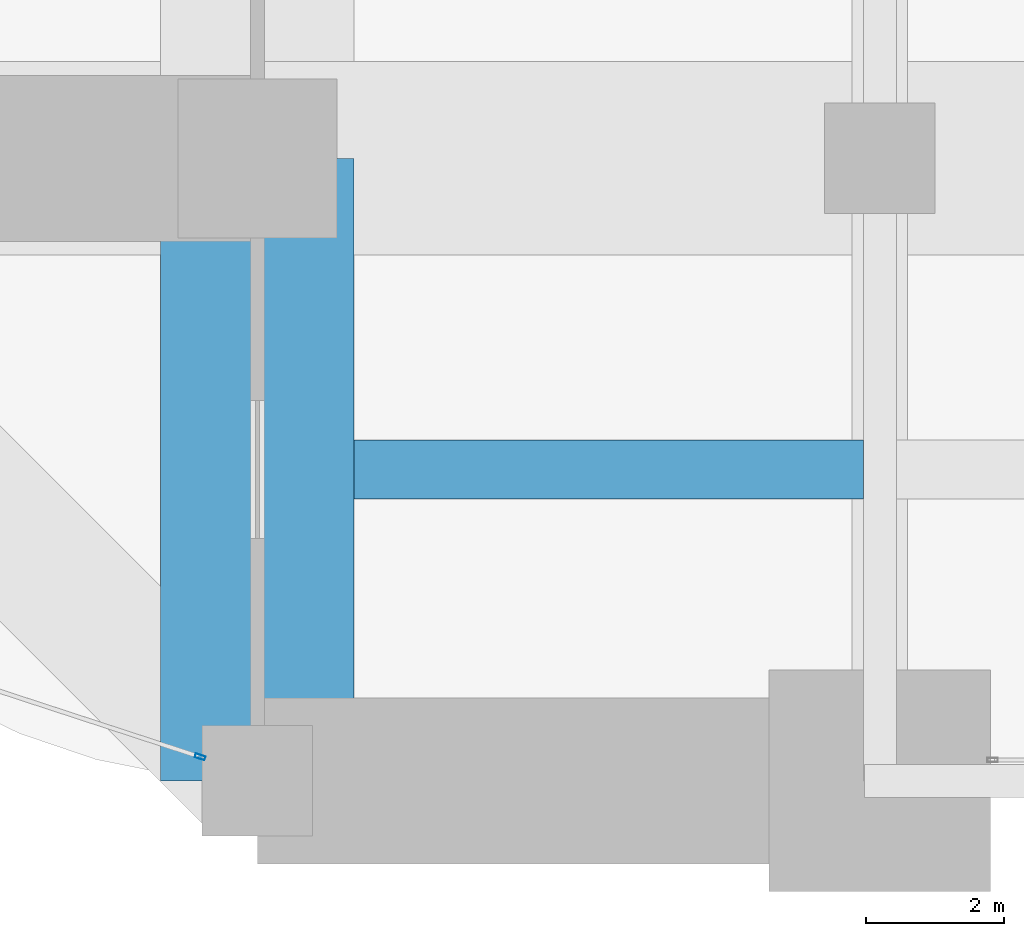
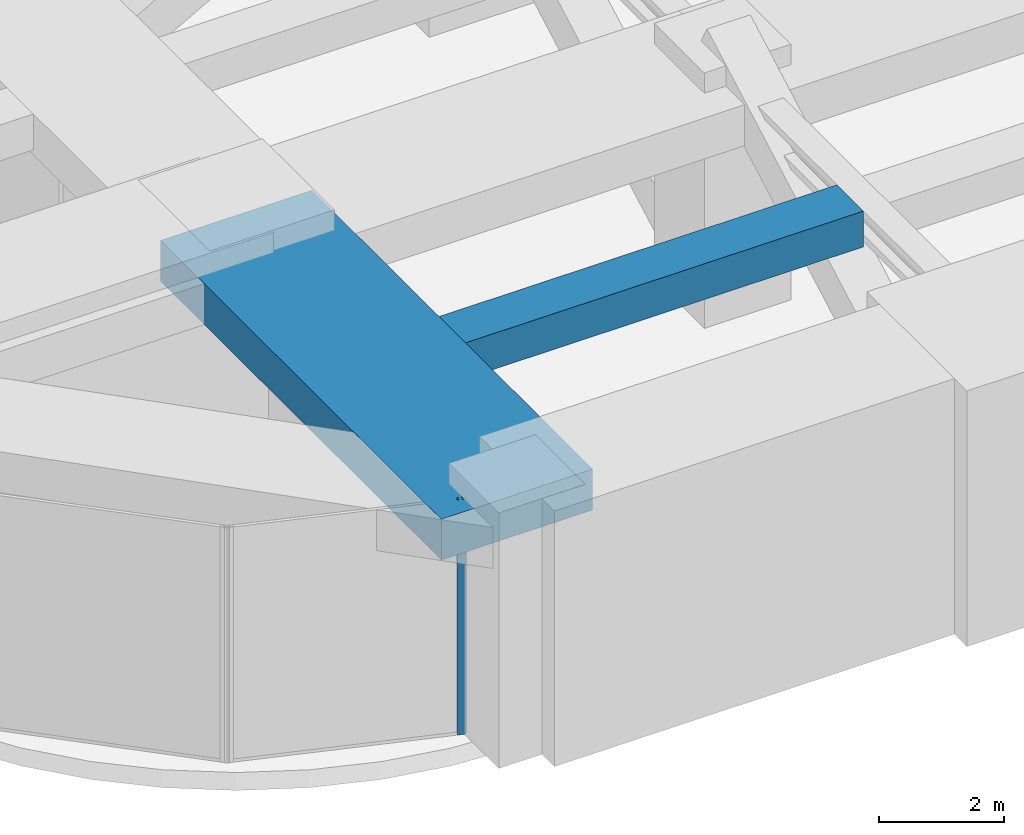
# One storey, part 4 of 32: 2 beams, 1 member, 1 element without a shape of its own.
"""IFC4 building model written with IfcOpenShell, lengths in metres."""

from ifc_helpers import new_model, si_unit, direction, frame, origin, origin_2d, place, context, subcontext, project, spatial, rectangle, hollow_rectangle, extrude, material, material_profile, profile_set, type_object, element, aggregate, save


model = new_model("IFC4")

# Units and contexts
model_context = context("Model", 3, precision=1e-05, world=origin(), true_north=direction((0.0, 1.0)))
body_context = subcontext(model_context, "Body", "Model", "MODEL_VIEW")
ifc_project = project(units=[si_unit("LENGTHUNIT", "METRE"), si_unit("AREAUNIT", "SQUARE_METRE"), si_unit("VOLUMEUNIT", "CUBIC_METRE"), si_unit("PLANEANGLEUNIT", "RADIAN"), si_unit("MASSUNIT", "GRAM", prefix="KILO")], contexts=[model_context])

# Site, building, storey
site_placement = place(None, origin())
site = spatial("IfcSite", under=ifc_project, at=site_placement, CompositionType="ELEMENT")
building_placement = place(site_placement, origin())
building = spatial("IfcBuilding", under=site, at=building_placement, Name="Zorevar Civic Tower", CompositionType="ELEMENT")
storey_placement = place(building_placement, frame((0.0, 0.0, 234.39990234375)))
storey = spatial("IfcBuildingStorey", under=building, at=storey_placement, Name="L57", CompositionType="ELEMENT", Elevation=234.39990234375)

# Beams
ifc_material_1 = material(Name="Concrete C50/60", Category="concrete")
ifc_material_profile_1 = material_profile(ifc_material_1, rectangle(XDim=2.800048828125, YDim=0.800048828125, at=origin_2d()), Name="RC 2800x800")
ifc_profile_set_1 = profile_set([ifc_material_profile_1], Name="Concrete C50/60")
beam_type_1 = type_object("IfcBeamType", Name="Beam RC 2800x800", PredefinedType="BEAM", material=ifc_profile_set_1)
beam_1_placement = place(storey_placement, frame((9.0, 0.0, 4.2001953125), z_axis=(0.0, 1.0, 0.0), x_axis=(-1.0, 0.0, 0.0)))
element("IfcBeam", 1, at=beam_1_placement, inside=storey, type_object=beam_type_1, Name="Girder L58", PredefinedType="BEAM", context=body_context, shape_type="SweptSolid", body=[
    extrude(rectangle(XDim=2.800048828125, YDim=0.800048828125, at=origin_2d()), origin(), (0.0, 0.0, 1.0), 9.0),
])
ifc_material_2 = material(Name="Concrete C50/60", Category="concrete")
ifc_material_profile_2 = material_profile(ifc_material_2, rectangle(XDim=0.85009765625, YDim=0.699951171875, at=origin_2d()), Name="RC 850x700")
ifc_profile_set_2 = profile_set([ifc_material_profile_2], Name="Concrete C50/60")
beam_type_2 = type_object("IfcBeamType", Name="Beam RC 850x700", PredefinedType="BEAM", material=ifc_profile_set_2)
beam_2_placement = place(storey_placement, frame((10.39990234375, 4.5, 4.25), z_axis=(1.0, 0.0, 0.0), x_axis=(0.0, 1.0, 0.0)))
element("IfcBeam", 2, at=beam_2_placement, inside=storey, type_object=beam_type_2, Name="Secondary beam L58", PredefinedType="BEAM", context=body_context, shape_type="SweptSolid", body=[
    extrude(rectangle(XDim=0.85009765625, YDim=0.699951171875, at=origin_2d()), origin(), (0.0, 0.0, 1.0), 7.362060546875),
])

# Curtain wall, member
ifc_material_3 = material(Name="Black aluminium louvres", Category="aluminium")
curtain_wall_type = type_object("IfcCurtainWallType", Name="Louvred curtain wall CW6 refuge", PredefinedType="NOTDEFINED", material=ifc_material_3)
curtain_wall_placement = place(storey_placement, origin())
curtain_wall = element("IfcCurtainWall", 3, at=curtain_wall_placement, inside=storey, type_object=curtain_wall_type, Name="CW6 L57", PredefinedType="NOTDEFINED")
ifc_material_4 = material(Name="Aluminium, black anodised", Category="aluminium")
ifc_material_profile_3 = material_profile(ifc_material_4, hollow_rectangle(XDim=0.06005859375, YDim=0.14990234375, WallThickness=0.00390625, at=origin_2d()), Name="AL 150x60x4")
ifc_profile_set_3 = profile_set([ifc_material_profile_3], Name="Aluminium, black anodised")
member_type = type_object("IfcMemberType", Name="CW6 mullion AL 150x60x4", PredefinedType="MULLION", material=ifc_profile_set_3)
member_placement = place(storey_placement, frame((8.17138671875, 0.34619140625, 0.0), z_axis=(0.0, 0.0, 1.0), x_axis=(0.311169307637, 0.9503544928, 0.0)))
member = element("IfcMember", 4, at=member_placement, type_object=member_type, Name="CW6 mullion 2", PredefinedType="MULLION", context=body_context, shape_type="SweptSolid", body=[
    extrude(hollow_rectangle(XDim=0.06005859375, YDim=0.14990234375, WallThickness=0.00390625, at=origin_2d()), origin(), (0.0, 0.0, 1.0), 4.60009765625),
])
aggregate(curtain_wall, [member])

save(model, "model.ifc")
